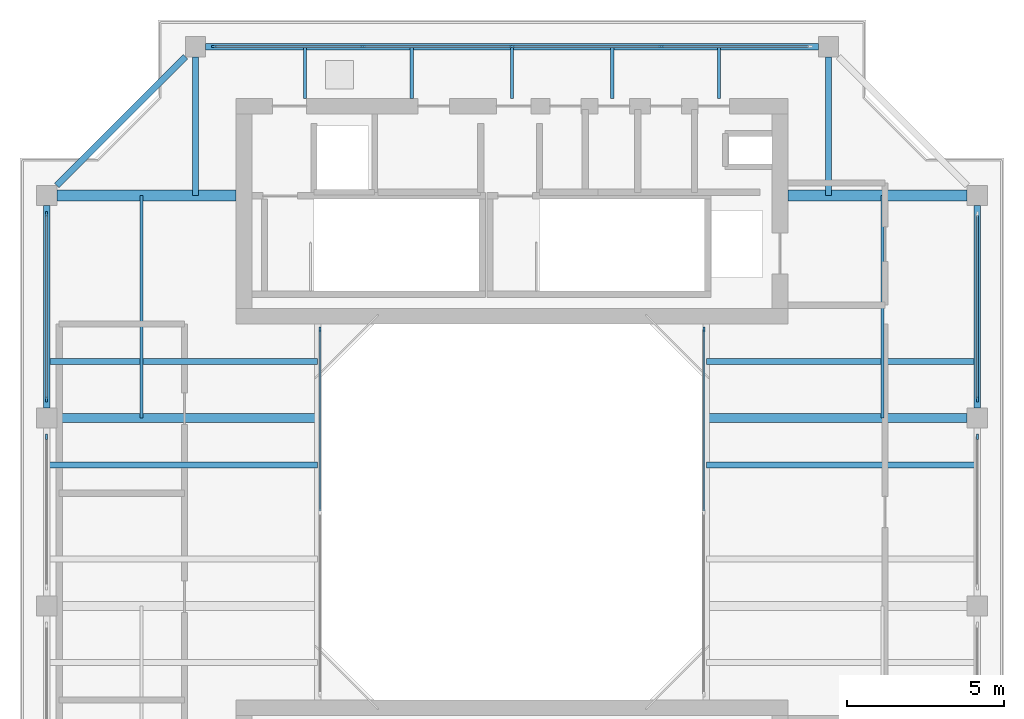
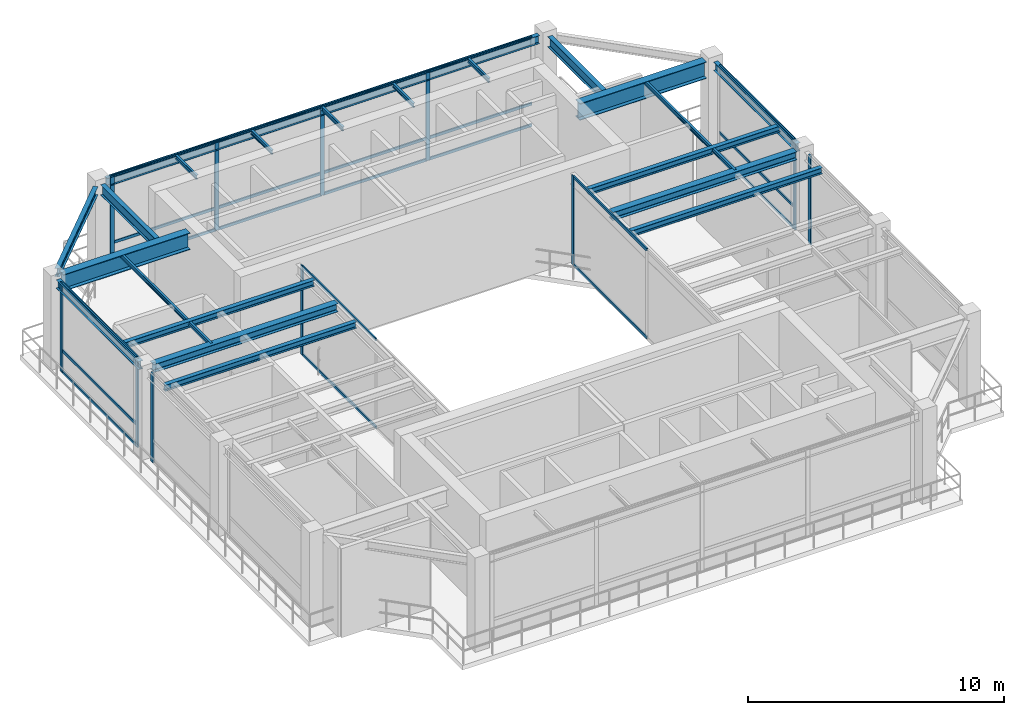
# One storey, part 4 of 9: 33 members, 21 beams, 7 elements without a shape of their own.
"""IFC4 building model written with IfcOpenShell, lengths in metres."""

from ifc_helpers import new_model, si_unit, direction, frame, origin, origin_2d, place, context, subcontext, project, spatial, rectangle, i_section, extrude, source, transform, mapped, material, layer, layer_set, material_profile, profile_set, type_object, element, aggregate, save


model = new_model("IFC4")

# Units and contexts
model_context = context("Model", 3, precision=1e-05, world=origin(), true_north=direction((0.0, 1.0)))
body_context = subcontext(model_context, "Body", "Model", "MODEL_VIEW")
ifc_project = project(units=[si_unit("LENGTHUNIT", "METRE"), si_unit("AREAUNIT", "SQUARE_METRE"), si_unit("VOLUMEUNIT", "CUBIC_METRE"), si_unit("PLANEANGLEUNIT", "RADIAN"), si_unit("MASSUNIT", "GRAM", prefix="KILO"), si_unit("THERMODYNAMICTEMPERATUREUNIT", "KELVIN"), si_unit("POWERUNIT", "WATT")], contexts=[model_context])

# Site, building, storey
site_placement = place(None, origin())
site = spatial("IfcSite", under=ifc_project, at=site_placement, CompositionType="ELEMENT")
building_placement = place(site_placement, origin())
building = spatial("IfcBuilding", under=site, at=building_placement, Name="Qiaomeng Ring Towers", CompositionType="ELEMENT")
storey_placement = place(building_placement, frame((0.0, 0.0, 263.25)))
storey = spatial("IfcBuildingStorey", under=building, at=storey_placement, Name="L77", CompositionType="ELEMENT", Elevation=263.25)

# Beams
ifc_material_1 = material(Name="Steel Q355B", Category="steel")
ifc_material_profile_1 = material_profile(ifc_material_1, i_section(OverallWidth=0.198974609375, OverallDepth=0.39599609375, WebThickness=0.007080078125, FlangeThickness=0.010986328125, FilletRadius=0.01611328125, at=origin_2d()), Name="HN 396x199x7x11")
ifc_profile_set_1 = profile_set([ifc_material_profile_1], Name="Steel Q355B")
beam_type_1 = type_object("IfcBeamType", Name="STR-BM-HN396", PredefinedType="SPANDREL", material=ifc_profile_set_1)
shared_shape_1 = source(origin(), body_context, "Body", "SweptSolid", [
    extrude(i_section(OverallWidth=0.198974609375, OverallDepth=0.39599609375, WebThickness=0.007080078125, FlangeThickness=0.010986328125, FilletRadius=0.01611328125, at=origin_2d()), origin(), (0.0, 0.0, 1.0), 19.5517578125),
])
beam_1_placement = place(storey_placement, frame((28.77587890625, 37.85009765625, 4.052001953125), z_axis=(-1.0, 0.0, 0.0), x_axis=(0.0, -1.0, 0.0)))
element("IfcBeam", 1, at=beam_1_placement, inside=storey, type_object=beam_type_1, Name="L77 beam STR-SP-L77-T1-N2-N1", PredefinedType="SPANDREL", context=body_context, shape_type="MappedRepresentation", body=[
    mapped(shared_shape_1, transform((0.0, 0.0, 0.0), x_axis=(1.0, 0.0, 0.0), y_axis=(0.0, 1.0, 0.0), z_axis=(0.0, 0.0, 1.0), scale=1.0)),
])
shared_shape_2 = source(origin(), body_context, "Body", "SweptSolid", [
    extrude(i_section(OverallWidth=0.198974609375, OverallDepth=0.39599609375, WebThickness=0.007080078125, FlangeThickness=0.010986328125, FilletRadius=0.01611328125, at=origin_2d()), origin(), (0.0, 0.0, 1.0), 5.800048828125),
])
beam_2_placement = place(storey_placement, frame((8.57568359375, 37.525634765625, 4.052001953125), z_axis=(-0.707106781187, -0.707106781187, 0.0), x_axis=(0.707106781187, -0.707106781187, 0.0)))
element("IfcBeam", 2, at=beam_2_placement, inside=storey, type_object=beam_type_1, Name="L77 beam STR-SP-L77-T1-N1-W4", PredefinedType="SPANDREL", context=body_context, shape_type="MappedRepresentation", body=[
    mapped(shared_shape_2, transform((0.0, 0.0, 0.0), x_axis=(1.0, 0.0, 0.0), y_axis=(0.0, 1.0, 0.0), z_axis=(0.0, 0.0, 1.0), scale=1.0)),
])
shared_shape_3 = source(origin(), body_context, "Body", "SweptSolid", [
    extrude(i_section(OverallWidth=0.198974609375, OverallDepth=0.39599609375, WebThickness=0.007080078125, FlangeThickness=0.010986328125, FilletRadius=0.01611328125, at=origin_2d()), origin(), (0.0, 0.0, 1.0), 6.451904296875),
])
for number, where, z_axis, x_axis, name in (
    (3, (33.85009765625, 26.323974609375, 4.052001953125), (0.0, 1.0, 0.0), (-1.0, 0.0, 0.0), "L77 beam STR-SP-L77-T1-E3-E4"),
    (4, (4.14990234375, 32.77587890625, 4.052001953125), (0.0, -1.0, 0.0), (1.0, 0.0, 0.0), "L77 beam STR-SP-L77-T1-W4-W3"),
):
    element("IfcBeam", number, at=place(storey_placement, frame(where, z_axis=z_axis, x_axis=x_axis)), inside=storey, type_object=beam_type_1, Name=name, PredefinedType="SPANDREL", context=body_context, shape_type="MappedRepresentation", body=[
        mapped(shared_shape_3, transform((0.0, 0.0, 0.0), x_axis=(1.0, 0.0, 0.0), y_axis=(0.0, 1.0, 0.0), z_axis=(0.0, 0.0, 1.0), scale=1.0)),
    ])
ifc_material_2 = material(Name="Steel Q390GJC", Category="steel")
ifc_material_profile_2 = material_profile(ifc_material_2, i_section(OverallWidth=0.35009765625, OverallDepth=0.800048828125, WebThickness=0.01611328125, FlangeThickness=0.028076171875, at=origin_2d()), Name="WH 800x350x16x28")
ifc_profile_set_2 = profile_set([ifc_material_profile_2], Name="Steel Q390GJC")
beam_type_2 = type_object("IfcBeamType", Name="STR-BM-WH800", PredefinedType="BEAM", material=ifc_profile_set_2)
shared_shape_4 = source(origin(), body_context, "Body", "SweptSolid", [
    extrude(i_section(OverallWidth=0.35009765625, OverallDepth=0.800048828125, WebThickness=0.01611328125, FlangeThickness=0.028076171875, at=origin_2d()), origin(), (0.0, 0.0, 1.0), 5.725830078125),
])
for number, where, z_axis, x_axis, name in (
    (5, (4.47412109375, 33.10009765625, 3.85009765625), (1.0, 0.0, 0.0), (0.0, 1.0, 0.0), "L77 beam STR-BM-L77-T1-RAD-W4"),
    (6, (27.800048828125, 33.10009765625, 3.85009765625), (1.0, 0.0, 0.0), (0.0, 1.0, 0.0), "L77 beam STR-BM-L77-T1-RAD-E4"),
):
    element("IfcBeam", number, at=place(storey_placement, frame(where, z_axis=z_axis, x_axis=x_axis)), inside=storey, type_object=beam_type_2, Name=name, PredefinedType="BEAM", context=body_context, shape_type="MappedRepresentation", body=[
        mapped(shared_shape_4, transform((0.0, 0.0, 0.0), x_axis=(1.0, 0.0, 0.0), y_axis=(0.0, 1.0, 0.0), z_axis=(0.0, 0.0, 1.0), scale=1.0)),
    ])
ifc_material_profile_3 = material_profile(ifc_material_1, i_section(OverallWidth=0.198974609375, OverallDepth=0.49609375, WebThickness=0.009033203125, FlangeThickness=0.013916015625, FilletRadius=0.01806640625, at=origin_2d()), Name="HN 496x199x9x14")
ifc_profile_set_3 = profile_set([ifc_material_profile_3], Name="Steel Q355B")
beam_type_3 = type_object("IfcBeamType", Name="STR-BM-HN496", PredefinedType="BEAM", material=ifc_profile_set_3)
shared_shape_5 = source(origin(), body_context, "Body", "SweptSolid", [
    extrude(i_section(OverallWidth=0.198974609375, OverallDepth=0.49609375, WebThickness=0.009033203125, FlangeThickness=0.013916015625, FilletRadius=0.01806640625, at=origin_2d()), origin(), (0.0, 0.0, 1.0), 4.42578125),
])
for number, where, z_axis, x_axis, name in (
    (7, (8.89990234375, 37.52587890625, 4.001953125), (0.0, -1.0, 0.0), (1.0, 0.0, 0.0), "L77 beam STR-BM-L77-T1-RAD-N1"),
    (8, (29.10009765625, 37.52587890625, 4.001953125), (0.0, -1.0, 0.0), (1.0, 0.0, 0.0), "L77 beam STR-BM-L77-T1-RAD-N2"),
):
    element("IfcBeam", number, at=place(storey_placement, frame(where, z_axis=z_axis, x_axis=x_axis)), inside=storey, type_object=beam_type_3, Name=name, PredefinedType="BEAM", context=body_context, shape_type="MappedRepresentation", body=[
        mapped(shared_shape_5, transform((0.0, 0.0, 0.0), x_axis=(1.0, 0.0, 0.0), y_axis=(0.0, 1.0, 0.0), z_axis=(0.0, 0.0, 1.0), scale=1.0)),
    ])
ifc_material_profile_4 = material_profile(ifc_material_1, i_section(OverallWidth=0.300048828125, OverallDepth=0.389892578125, WebThickness=0.010009765625, FlangeThickness=0.01611328125, FilletRadius=0.02197265625, at=origin_2d()), Name="HM 390x300x10x16")
ifc_profile_set_4 = profile_set([ifc_material_profile_4], Name="Steel Q355B")
beam_type_4 = type_object("IfcBeamType", Name="STR-BM-HM390", PredefinedType="BEAM", material=ifc_profile_set_4)
shared_shape_6 = source(origin(), body_context, "Body", "SweptSolid", [
    extrude(i_section(OverallWidth=0.300048828125, OverallDepth=0.389892578125, WebThickness=0.010009765625, FlangeThickness=0.01611328125, FilletRadius=0.02197265625, at=origin_2d()), origin(), (0.0, 0.0, 1.0), 8.325927734375),
])
for number, where, z_axis, x_axis, name in (
    (9, (4.47412109375, 26.0, 4.054931640625), (1.0, 0.0, 0.0), (0.0, 1.0, 0.0), "L77 beam STR-BM-L77-T1-RAD-W3"),
    (10, (25.199951171875, 26.0, 4.054931640625), (1.0, 0.0, 0.0), (0.0, 1.0, 0.0), "L77 beam STR-BM-L77-T1-RAD-E3"),
):
    element("IfcBeam", number, at=place(storey_placement, frame(where, z_axis=z_axis, x_axis=x_axis)), inside=storey, type_object=beam_type_4, Name=name, PredefinedType="BEAM", context=body_context, shape_type="MappedRepresentation", body=[
        mapped(shared_shape_6, transform((0.0, 0.0, 0.0), x_axis=(1.0, 0.0, 0.0), y_axis=(0.0, 1.0, 0.0), z_axis=(0.0, 0.0, 1.0), scale=1.0)),
    ])
ifc_material_profile_5 = material_profile(ifc_material_1, i_section(OverallWidth=0.10009765625, OverallDepth=0.199951171875, WebThickness=0.005615234375, FlangeThickness=0.008056640625, FilletRadius=0.010986328125, at=origin_2d()), Name="HN 200x100x5.5x8")
ifc_profile_set_5 = profile_set([ifc_material_profile_5], Name="Steel Q355B")
beam_type_5 = type_object("IfcBeamType", Name="STR-BM-HN200", PredefinedType="JOIST", material=ifc_profile_set_5)
shared_shape_7 = source(origin(), body_context, "Body", "SweptSolid", [
    extrude(i_section(OverallWidth=0.10009765625, OverallDepth=0.199951171875, WebThickness=0.005615234375, FlangeThickness=0.008056640625, FilletRadius=0.010986328125, at=origin_2d()), origin(), (0.0, 0.0, 1.0), 1.650146484375),
])
for number, where, z_axis, x_axis, name in (
    (11, (12.39990234375, 36.199951171875, 4.14990234375), (0.0, 1.0, 0.0), (-1.0, 0.0, 0.0), "L77 beam STR-JST-L77-T1N-1"),
    (12, (15.800048828125, 36.199951171875, 4.14990234375), (0.0, 1.0, 0.0), (-1.0, 0.0, 0.0), "L77 beam STR-JST-L77-T1N-2"),
    (13, (19.0, 36.199951171875, 4.14990234375), (0.0, 1.0, 0.0), (-1.0, 0.0, 0.0), "L77 beam STR-JST-L77-T1N-3"),
    (14, (22.199951171875, 36.199951171875, 4.14990234375), (0.0, 1.0, 0.0), (-1.0, 0.0, 0.0), "L77 beam STR-JST-L77-T1N-4"),
    (15, (25.60009765625, 36.199951171875, 4.14990234375), (0.0, 1.0, 0.0), (-1.0, 0.0, 0.0), "L77 beam STR-JST-L77-T1N-5"),
):
    element("IfcBeam", number, at=place(storey_placement, frame(where, z_axis=z_axis, x_axis=x_axis)), inside=storey, type_object=beam_type_5, Name=name, PredefinedType="JOIST", context=body_context, shape_type="MappedRepresentation", body=[
        mapped(shared_shape_7, transform((0.0, 0.0, 0.0), x_axis=(1.0, 0.0, 0.0), y_axis=(0.0, 1.0, 0.0), z_axis=(0.0, 0.0, 1.0), scale=1.0)),
    ])
ifc_material_profile_6 = material_profile(ifc_material_1, i_section(OverallWidth=0.199951171875, OverallDepth=0.2939453125, WebThickness=0.008056640625, FlangeThickness=0.011962890625, FilletRadius=0.01806640625, at=origin_2d()), Name="HM 294x200x8x12")
ifc_profile_set_6 = profile_set([ifc_material_profile_6], Name="Steel Q355B")
beam_type_6 = type_object("IfcBeamType", Name="STR-BM-HM294", PredefinedType="JOIST", material=ifc_profile_set_6)
shared_shape_8 = source(origin(), body_context, "Body", "SweptSolid", [
    extrude(i_section(OverallWidth=0.199951171875, OverallDepth=0.2939453125, WebThickness=0.008056640625, FlangeThickness=0.011962890625, FilletRadius=0.01806640625, at=origin_2d()), origin(), (0.0, 0.0, 1.0), 8.650146484375),
])
for number, where, z_axis, x_axis, name in (
    (16, (4.14990234375, 24.5, 4.10302734375), (1.0, 0.0, 0.0), (0.0, 1.0, 0.0), "L77 beam STR-JST-L77-T1W-3"),
    (17, (25.199951171875, 24.5, 4.10302734375), (1.0, 0.0, 0.0), (0.0, 1.0, 0.0), "L77 beam STR-JST-L77-T1E-3"),
    (18, (4.14990234375, 27.800048828125, 4.10302734375), (1.0, 0.0, 0.0), (0.0, 1.0, 0.0), "L77 beam STR-JST-L77-T1W-4"),
    (19, (25.199951171875, 27.800048828125, 4.10302734375), (1.0, 0.0, 0.0), (0.0, 1.0, 0.0), "L77 beam STR-JST-L77-T1E-4"),
):
    element("IfcBeam", number, at=place(storey_placement, frame(where, z_axis=z_axis, x_axis=x_axis)), inside=storey, type_object=beam_type_6, Name=name, PredefinedType="JOIST", context=body_context, shape_type="MappedRepresentation", body=[
        mapped(shared_shape_8, transform((0.0, 0.0, 0.0), x_axis=(1.0, 0.0, 0.0), y_axis=(0.0, 1.0, 0.0), z_axis=(0.0, 0.0, 1.0), scale=1.0)),
    ])
shared_shape_9 = source(origin(), body_context, "Body", "SweptSolid", [
    extrude(i_section(OverallWidth=0.10009765625, OverallDepth=0.199951171875, WebThickness=0.005615234375, FlangeThickness=0.008056640625, FilletRadius=0.010986328125, at=origin_2d()), origin(), (0.0, 0.0, 1.0), 7.10009765625),
])
for number, where, z_axis, x_axis, name in (
    (20, (7.175048828125, 26.0, 4.14990234375), (0.0, 1.0, 0.0), (-1.0, 0.0, 0.0), "L77 beam STR-JST-L77-T1C-WN"),
    (21, (30.824951171875, 26.0, 4.14990234375), (0.0, 1.0, 0.0), (-1.0, 0.0, 0.0), "L77 beam STR-JST-L77-T1C-EN"),
):
    element("IfcBeam", number, at=place(storey_placement, frame(where, z_axis=z_axis, x_axis=x_axis)), inside=storey, type_object=beam_type_5, Name=name, PredefinedType="JOIST", context=body_context, shape_type="MappedRepresentation", body=[
        mapped(shared_shape_9, transform((0.0, 0.0, 0.0), x_axis=(1.0, 0.0, 0.0), y_axis=(0.0, 1.0, 0.0), z_axis=(0.0, 0.0, 1.0), scale=1.0)),
    ])

# Curtain wall, members
ifc_material_3 = material(Name="Fluorocarbon dark-grey aluminium", Category="aluminium")
ifc_layer_1 = layer(ifc_material_3, 0.139892578125, Name="Fluorocarbon dark-grey aluminium")
ifc_layer_set_1 = layer_set([ifc_layer_1], Name="Fluorocarbon dark-grey aluminium")
curtain_wall_type_1 = type_object("IfcCurtainWallType", Name="ARC-CW-4", PredefinedType="NOTDEFINED", material=ifc_layer_set_1)
curtain_wall_1_placement = place(storey_placement, origin())
curtain_wall_1 = element("IfcCurtainWall", 22, at=curtain_wall_1_placement, inside=storey, type_object=curtain_wall_type_1, Name="L77 Curtain Wall CW4", PredefinedType="NOTDEFINED")
ifc_material_profile_7 = material_profile(ifc_material_3, rectangle(XDim=0.06494140625, YDim=0.1298828125, at=origin_2d()), Name="ALU TRAN 65x130")
ifc_profile_set_7 = profile_set([ifc_material_profile_7], Name="Fluorocarbon dark-grey aluminium")
member_type_1 = type_object("IfcMemberType", Name="ARC-CWT-120", PredefinedType="USERDEFINED", material=ifc_profile_set_7)
shared_shape_10 = source(origin(), body_context, "Body", "SweptSolid", [
    extrude(rectangle(XDim=0.06494140625, YDim=0.1298828125, at=origin_2d()), origin(), (0.0, 0.0, 1.0), 5.75244140625),
])
member_1_placement = place(storey_placement, frame((12.8798828125, 23.032470703125, 0.032470703125), z_axis=(0.0, 1.0, 0.0), x_axis=(-1.0, 0.0, 0.0)))
member_1 = element("IfcMember", 23, at=member_1_placement, type_object=member_type_1, Name="CW4 transom 2.1", ObjectType="TRANSOM", PredefinedType="USERDEFINED", context=body_context, shape_type="MappedRepresentation", body=[
    mapped(shared_shape_10, transform((0.0, 0.0, 0.0), x_axis=(1.0, 0.0, 0.0), y_axis=(0.0, 1.0, 0.0), z_axis=(0.0, 0.0, 1.0), scale=1.0)),
])
member_2_placement = place(storey_placement, frame((12.8798828125, 23.032470703125, 4.217529296875), z_axis=(0.0, 1.0, 0.0), x_axis=(-1.0, 0.0, 0.0)))
member_2 = element("IfcMember", 24, at=member_2_placement, type_object=member_type_1, Name="CW4 transom 2.2", ObjectType="TRANSOM", PredefinedType="USERDEFINED", context=body_context, shape_type="MappedRepresentation", body=[
    mapped(shared_shape_10, transform((0.0, 0.0, 0.0), x_axis=(1.0, 0.0, 0.0), y_axis=(0.0, 1.0, 0.0), z_axis=(0.0, 0.0, 1.0), scale=1.0)),
])

curtain_wall_2_placement = place(storey_placement, origin())
curtain_wall_2 = element("IfcCurtainWall", 25, at=curtain_wall_2_placement, inside=storey, type_object=curtain_wall_type_1, Name="L77 Curtain Wall CW4", PredefinedType="NOTDEFINED")
member_3_placement = place(storey_placement, frame((25.1201171875, 23.032470703125, 0.032470703125), z_axis=(0.0, 1.0, 0.0), x_axis=(-1.0, 0.0, 0.0)))
member_3 = element("IfcMember", 26, at=member_3_placement, type_object=member_type_1, Name="CW4 transom 2.1", ObjectType="TRANSOM", PredefinedType="USERDEFINED", context=body_context, shape_type="MappedRepresentation", body=[
    mapped(shared_shape_10, transform((0.0, 0.0, 0.0), x_axis=(1.0, 0.0, 0.0), y_axis=(0.0, 1.0, 0.0), z_axis=(0.0, 0.0, 1.0), scale=1.0)),
])
member_4_placement = place(storey_placement, frame((25.1201171875, 23.032470703125, 4.217529296875), z_axis=(0.0, 1.0, 0.0), x_axis=(-1.0, 0.0, 0.0)))
member_4 = element("IfcMember", 27, at=member_4_placement, type_object=member_type_1, Name="CW4 transom 2.2", ObjectType="TRANSOM", PredefinedType="USERDEFINED", context=body_context, shape_type="MappedRepresentation", body=[
    mapped(shared_shape_10, transform((0.0, 0.0, 0.0), x_axis=(1.0, 0.0, 0.0), y_axis=(0.0, 1.0, 0.0), z_axis=(0.0, 0.0, 1.0), scale=1.0)),
])

# Member
ifc_material_profile_8 = material_profile(ifc_material_3, rectangle(XDim=0.06494140625, YDim=0.159912109375, at=origin_2d()), Name="ALU MULL 65x160")
ifc_profile_set_8 = profile_set([ifc_material_profile_8], Name="Fluorocarbon dark-grey aluminium")
member_type_2 = type_object("IfcMemberType", Name="ARC-CWM-140", PredefinedType="MULLION", material=ifc_profile_set_8)
shared_shape_11 = source(origin(), body_context, "Body", "SweptSolid", [
    extrude(rectangle(XDim=0.06494140625, YDim=0.159912109375, at=origin_2d()), origin(), (0.0, 0.0, 1.0), 4.25),
])
member_5_placement = place(storey_placement, frame((12.8798828125, 28.8173828125, 0.0), z_axis=(0.0, 0.0, 1.0), x_axis=(-1.0, 0.0, 0.0)))
member_5 = element("IfcMember", 28, at=member_5_placement, type_object=member_type_2, Name="CW4 mullion 3", PredefinedType="MULLION", context=body_context, shape_type="MappedRepresentation", body=[
    mapped(shared_shape_11, transform((0.0, 0.0, 0.0), x_axis=(1.0, 0.0, 0.0), y_axis=(0.0, 1.0, 0.0), z_axis=(0.0, 0.0, 1.0), scale=1.0)),
])

aggregate(curtain_wall_1, [member_5, member_1, member_2])

member_6_placement = place(storey_placement, frame((25.1201171875, 28.8173828125, 0.0), z_axis=(0.0, 0.0, 1.0), x_axis=(-1.0, 0.0, 0.0)))
member_6 = element("IfcMember", 29, at=member_6_placement, type_object=member_type_2, Name="CW4 mullion 3", PredefinedType="MULLION", context=body_context, shape_type="MappedRepresentation", body=[
    mapped(shared_shape_11, transform((0.0, 0.0, 0.0), x_axis=(1.0, 0.0, 0.0), y_axis=(0.0, 1.0, 0.0), z_axis=(0.0, 0.0, 1.0), scale=1.0)),
])

aggregate(curtain_wall_2, [member_6, member_3, member_4])

# Curtain wall, members
ifc_layer_2 = layer(ifc_material_3, 0.169921875, Name="Fluorocarbon dark-grey aluminium")
ifc_layer_set_2 = layer_set([ifc_layer_2], Name="Fluorocarbon dark-grey aluminium")
curtain_wall_type_2 = type_object("IfcCurtainWallType", Name="ARC-CW-6", PredefinedType="NOTDEFINED", material=ifc_layer_set_2)
curtain_wall_3_placement = place(storey_placement, origin())
curtain_wall_3 = element("IfcCurtainWall", 30, at=curtain_wall_3_placement, inside=storey, type_object=curtain_wall_type_2, Name="L77 Curtain Wall CW6", PredefinedType="NOTDEFINED")
ifc_material_profile_9 = material_profile(ifc_material_3, rectangle(XDim=0.070068359375, YDim=0.179931640625, at=origin_2d()), Name="ALU MULL 70x180")
ifc_profile_set_9 = profile_set([ifc_material_profile_9], Name="Fluorocarbon dark-grey aluminium")
member_type_3 = type_object("IfcMemberType", Name="ARC-CWM-160", PredefinedType="MULLION", material=ifc_profile_set_9)
shared_shape_12 = source(origin(), body_context, "Body", "SweptSolid", [
    extrude(rectangle(XDim=0.070068359375, YDim=0.179931640625, at=origin_2d()), origin(), (0.0, 0.0, 1.0), 4.25),
])
member_7_placement = place(storey_placement, frame((23.767578125, 37.85009765625, 0.0), z_axis=(0.0, 0.0, 1.0), x_axis=(0.0, -1.0, 0.0)))
member_7 = element("IfcMember", 31, at=member_7_placement, type_object=member_type_3, Name="CW6 mullion 2", PredefinedType="MULLION", context=body_context, shape_type="MappedRepresentation", body=[
    mapped(shared_shape_12, transform((0.0, 0.0, 0.0), x_axis=(1.0, 0.0, 0.0), y_axis=(0.0, 1.0, 0.0), z_axis=(0.0, 0.0, 1.0), scale=1.0)),
])
member_8_placement = place(storey_placement, frame((19.0, 37.85009765625, 0.0), z_axis=(0.0, 0.0, 1.0), x_axis=(0.0, -1.0, 0.0)))
member_8 = element("IfcMember", 32, at=member_8_placement, type_object=member_type_3, Name="CW6 mullion 3", PredefinedType="MULLION", context=body_context, shape_type="MappedRepresentation", body=[
    mapped(shared_shape_12, transform((0.0, 0.0, 0.0), x_axis=(1.0, 0.0, 0.0), y_axis=(0.0, 1.0, 0.0), z_axis=(0.0, 0.0, 1.0), scale=1.0)),
])
member_9_placement = place(storey_placement, frame((14.232421875, 37.85009765625, 0.0), z_axis=(0.0, 0.0, 1.0), x_axis=(0.0, -1.0, 0.0)))
member_9 = element("IfcMember", 33, at=member_9_placement, type_object=member_type_3, Name="CW6 mullion 4", PredefinedType="MULLION", context=body_context, shape_type="MappedRepresentation", body=[
    mapped(shared_shape_12, transform((0.0, 0.0, 0.0), x_axis=(1.0, 0.0, 0.0), y_axis=(0.0, 1.0, 0.0), z_axis=(0.0, 0.0, 1.0), scale=1.0)),
])
member_10_placement = place(storey_placement, frame((9.5, 37.85009765625, 0.0), z_axis=(0.0, 0.0, 1.0), x_axis=(0.0, -1.0, 0.0)))
member_10 = element("IfcMember", 34, at=member_10_placement, type_object=member_type_3, Name="CW6 mullion 5", PredefinedType="MULLION", context=body_context, shape_type="MappedRepresentation", body=[
    mapped(shared_shape_12, transform((0.0, 0.0, 0.0), x_axis=(1.0, 0.0, 0.0), y_axis=(0.0, 1.0, 0.0), z_axis=(0.0, 0.0, 1.0), scale=1.0)),
])

curtain_wall_4_placement = place(storey_placement, origin())
curtain_wall_4 = element("IfcCurtainWall", 35, at=curtain_wall_4_placement, inside=storey, type_object=curtain_wall_type_2, Name="L77 Curtain Wall CW6", PredefinedType="NOTDEFINED")
member_11_placement = place(storey_placement, frame((4.14990234375, 32.5, 0.0), z_axis=(0.0, 0.0, 1.0), x_axis=(1.0, 0.0, 0.0)))
member_11 = element("IfcMember", 36, at=member_11_placement, type_object=member_type_3, Name="CW6 mullion 1", PredefinedType="MULLION", context=body_context, shape_type="MappedRepresentation", body=[
    mapped(shared_shape_12, transform((0.0, 0.0, 0.0), x_axis=(1.0, 0.0, 0.0), y_axis=(0.0, 1.0, 0.0), z_axis=(0.0, 0.0, 1.0), scale=1.0)),
])
member_12_placement = place(storey_placement, frame((4.14990234375, 26.60009765625, 0.0), z_axis=(0.0, 0.0, 1.0), x_axis=(1.0, 0.0, 0.0)))
member_12 = element("IfcMember", 37, at=member_12_placement, type_object=member_type_3, Name="CW6 mullion 2", PredefinedType="MULLION", context=body_context, shape_type="MappedRepresentation", body=[
    mapped(shared_shape_12, transform((0.0, 0.0, 0.0), x_axis=(1.0, 0.0, 0.0), y_axis=(0.0, 1.0, 0.0), z_axis=(0.0, 0.0, 1.0), scale=1.0)),
])

# Curtain wall, member
curtain_wall_5_placement = place(storey_placement, origin())
curtain_wall_5 = element("IfcCurtainWall", 38, at=curtain_wall_5_placement, inside=storey, type_object=curtain_wall_type_2, Name="L77 Curtain Wall CW6", PredefinedType="NOTDEFINED")
member_13_placement = place(storey_placement, frame((4.14990234375, 25.39990234375, 0.0), z_axis=(0.0, 0.0, 1.0), x_axis=(1.0, 0.0, 0.0)))
member_13 = element("IfcMember", 39, at=member_13_placement, type_object=member_type_3, Name="CW6 mullion 1", PredefinedType="MULLION", context=body_context, shape_type="MappedRepresentation", body=[
    mapped(shared_shape_12, transform((0.0, 0.0, 0.0), x_axis=(1.0, 0.0, 0.0), y_axis=(0.0, 1.0, 0.0), z_axis=(0.0, 0.0, 1.0), scale=1.0)),
])
aggregate(curtain_wall_5, [member_13])

curtain_wall_6_placement = place(storey_placement, origin())
curtain_wall_6 = element("IfcCurtainWall", 40, at=curtain_wall_6_placement, inside=storey, type_object=curtain_wall_type_2, Name="L77 Curtain Wall CW6", PredefinedType="NOTDEFINED")
member_14_placement = place(storey_placement, frame((33.85009765625, 25.39990234375, 0.0), z_axis=(0.0, 0.0, 1.0), x_axis=(-1.0, 0.0, 0.0)))
member_14 = element("IfcMember", 41, at=member_14_placement, type_object=member_type_3, Name="CW6 mullion 2", PredefinedType="MULLION", context=body_context, shape_type="MappedRepresentation", body=[
    mapped(shared_shape_12, transform((0.0, 0.0, 0.0), x_axis=(1.0, 0.0, 0.0), y_axis=(0.0, 1.0, 0.0), z_axis=(0.0, 0.0, 1.0), scale=1.0)),
])
aggregate(curtain_wall_6, [member_14])

curtain_wall_7_placement = place(storey_placement, origin())
curtain_wall_7 = element("IfcCurtainWall", 42, at=curtain_wall_7_placement, inside=storey, type_object=curtain_wall_type_2, Name="L77 Curtain Wall CW6", PredefinedType="NOTDEFINED")
member_15_placement = place(storey_placement, frame((33.85009765625, 26.60009765625, 0.0), z_axis=(0.0, 0.0, 1.0), x_axis=(-1.0, 0.0, 0.0)))
member_15 = element("IfcMember", 43, at=member_15_placement, type_object=member_type_3, Name="CW6 mullion 1", PredefinedType="MULLION", context=body_context, shape_type="MappedRepresentation", body=[
    mapped(shared_shape_12, transform((0.0, 0.0, 0.0), x_axis=(1.0, 0.0, 0.0), y_axis=(0.0, 1.0, 0.0), z_axis=(0.0, 0.0, 1.0), scale=1.0)),
])

# Member
shared_shape_13 = source(origin(), body_context, "Body", "SweptSolid", [
    extrude(rectangle(XDim=0.06494140625, YDim=0.1298828125, at=origin_2d()), origin(), (0.0, 0.0, 1.0), 4.66259765625),
])
member_16_placement = place(storey_placement, frame((28.465087890625, 37.85009765625, 0.032470703125), z_axis=(-1.0, 0.0, 0.0), x_axis=(0.0, -1.0, 0.0)))
member_16 = element("IfcMember", 44, at=member_16_placement, type_object=member_type_1, Name="CW6 transom 1.1", ObjectType="TRANSOM", PredefinedType="USERDEFINED", context=body_context, shape_type="MappedRepresentation", body=[
    mapped(shared_shape_13, transform((0.0, 0.0, 0.0), x_axis=(1.0, 0.0, 0.0), y_axis=(0.0, 1.0, 0.0), z_axis=(0.0, 0.0, 1.0), scale=1.0)),
])

member_17_placement = place(storey_placement, frame((28.465087890625, 37.85009765625, 1.050048828125), z_axis=(-1.0, 0.0, 0.0), x_axis=(0.0, -1.0, 0.0)))
member_17 = element("IfcMember", 45, at=member_17_placement, type_object=member_type_1, Name="CW6 transom 1.2", ObjectType="TRANSOM", PredefinedType="USERDEFINED", context=body_context, shape_type="MappedRepresentation", body=[
    mapped(shared_shape_13, transform((0.0, 0.0, 0.0), x_axis=(1.0, 0.0, 0.0), y_axis=(0.0, 1.0, 0.0), z_axis=(0.0, 0.0, 1.0), scale=1.0)),
])

member_18_placement = place(storey_placement, frame((28.465087890625, 37.85009765625, 4.217529296875), z_axis=(-1.0, 0.0, 0.0), x_axis=(0.0, -1.0, 0.0)))
member_18 = element("IfcMember", 46, at=member_18_placement, type_object=member_type_1, Name="CW6 transom 1.3", ObjectType="TRANSOM", PredefinedType="USERDEFINED", context=body_context, shape_type="MappedRepresentation", body=[
    mapped(shared_shape_13, transform((0.0, 0.0, 0.0), x_axis=(1.0, 0.0, 0.0), y_axis=(0.0, 1.0, 0.0), z_axis=(0.0, 0.0, 1.0), scale=1.0)),
])

member_19_placement = place(storey_placement, frame((14.197509765625, 37.85009765625, 0.032470703125), z_axis=(-1.0, 0.0, 0.0), x_axis=(0.0, -1.0, 0.0)))
member_19 = element("IfcMember", 47, at=member_19_placement, type_object=member_type_1, Name="CW6 transom 4.1", ObjectType="TRANSOM", PredefinedType="USERDEFINED", context=body_context, shape_type="MappedRepresentation", body=[
    mapped(shared_shape_13, transform((0.0, 0.0, 0.0), x_axis=(1.0, 0.0, 0.0), y_axis=(0.0, 1.0, 0.0), z_axis=(0.0, 0.0, 1.0), scale=1.0)),
])

member_20_placement = place(storey_placement, frame((14.197509765625, 37.85009765625, 1.050048828125), z_axis=(-1.0, 0.0, 0.0), x_axis=(0.0, -1.0, 0.0)))
member_20 = element("IfcMember", 48, at=member_20_placement, type_object=member_type_1, Name="CW6 transom 4.2", ObjectType="TRANSOM", PredefinedType="USERDEFINED", context=body_context, shape_type="MappedRepresentation", body=[
    mapped(shared_shape_13, transform((0.0, 0.0, 0.0), x_axis=(1.0, 0.0, 0.0), y_axis=(0.0, 1.0, 0.0), z_axis=(0.0, 0.0, 1.0), scale=1.0)),
])

member_21_placement = place(storey_placement, frame((14.197509765625, 37.85009765625, 4.217529296875), z_axis=(-1.0, 0.0, 0.0), x_axis=(0.0, -1.0, 0.0)))
member_21 = element("IfcMember", 49, at=member_21_placement, type_object=member_type_1, Name="CW6 transom 4.3", ObjectType="TRANSOM", PredefinedType="USERDEFINED", context=body_context, shape_type="MappedRepresentation", body=[
    mapped(shared_shape_13, transform((0.0, 0.0, 0.0), x_axis=(1.0, 0.0, 0.0), y_axis=(0.0, 1.0, 0.0), z_axis=(0.0, 0.0, 1.0), scale=1.0)),
])

shared_shape_14 = source(origin(), body_context, "Body", "SweptSolid", [
    extrude(rectangle(XDim=0.06494140625, YDim=0.1298828125, at=origin_2d()), origin(), (0.0, 0.0, 1.0), 4.697509765625),
])
member_22_placement = place(storey_placement, frame((23.732421875, 37.85009765625, 0.032470703125), z_axis=(-1.0, 0.0, 0.0), x_axis=(0.0, -1.0, 0.0)))
member_22 = element("IfcMember", 50, at=member_22_placement, type_object=member_type_1, Name="CW6 transom 2.1", ObjectType="TRANSOM", PredefinedType="USERDEFINED", context=body_context, shape_type="MappedRepresentation", body=[
    mapped(shared_shape_14, transform((0.0, 0.0, 0.0), x_axis=(1.0, 0.0, 0.0), y_axis=(0.0, 1.0, 0.0), z_axis=(0.0, 0.0, 1.0), scale=1.0)),
])

member_23_placement = place(storey_placement, frame((23.732421875, 37.85009765625, 1.050048828125), z_axis=(-1.0, 0.0, 0.0), x_axis=(0.0, -1.0, 0.0)))
member_23 = element("IfcMember", 51, at=member_23_placement, type_object=member_type_1, Name="CW6 transom 2.2", ObjectType="TRANSOM", PredefinedType="USERDEFINED", context=body_context, shape_type="MappedRepresentation", body=[
    mapped(shared_shape_14, transform((0.0, 0.0, 0.0), x_axis=(1.0, 0.0, 0.0), y_axis=(0.0, 1.0, 0.0), z_axis=(0.0, 0.0, 1.0), scale=1.0)),
])

member_24_placement = place(storey_placement, frame((23.732421875, 37.85009765625, 4.217529296875), z_axis=(-1.0, 0.0, 0.0), x_axis=(0.0, -1.0, 0.0)))
member_24 = element("IfcMember", 52, at=member_24_placement, type_object=member_type_1, Name="CW6 transom 2.3", ObjectType="TRANSOM", PredefinedType="USERDEFINED", context=body_context, shape_type="MappedRepresentation", body=[
    mapped(shared_shape_14, transform((0.0, 0.0, 0.0), x_axis=(1.0, 0.0, 0.0), y_axis=(0.0, 1.0, 0.0), z_axis=(0.0, 0.0, 1.0), scale=1.0)),
])

member_25_placement = place(storey_placement, frame((18.965087890625, 37.85009765625, 0.032470703125), z_axis=(-1.0, 0.0, 0.0), x_axis=(0.0, -1.0, 0.0)))
member_25 = element("IfcMember", 53, at=member_25_placement, type_object=member_type_1, Name="CW6 transom 3.1", ObjectType="TRANSOM", PredefinedType="USERDEFINED", context=body_context, shape_type="MappedRepresentation", body=[
    mapped(shared_shape_14, transform((0.0, 0.0, 0.0), x_axis=(1.0, 0.0, 0.0), y_axis=(0.0, 1.0, 0.0), z_axis=(0.0, 0.0, 1.0), scale=1.0)),
])

member_26_placement = place(storey_placement, frame((18.965087890625, 37.85009765625, 1.050048828125), z_axis=(-1.0, 0.0, 0.0), x_axis=(0.0, -1.0, 0.0)))
member_26 = element("IfcMember", 54, at=member_26_placement, type_object=member_type_1, Name="CW6 transom 3.2", ObjectType="TRANSOM", PredefinedType="USERDEFINED", context=body_context, shape_type="MappedRepresentation", body=[
    mapped(shared_shape_14, transform((0.0, 0.0, 0.0), x_axis=(1.0, 0.0, 0.0), y_axis=(0.0, 1.0, 0.0), z_axis=(0.0, 0.0, 1.0), scale=1.0)),
])

member_27_placement = place(storey_placement, frame((18.965087890625, 37.85009765625, 4.217529296875), z_axis=(-1.0, 0.0, 0.0), x_axis=(0.0, -1.0, 0.0)))
member_27 = element("IfcMember", 55, at=member_27_placement, type_object=member_type_1, Name="CW6 transom 3.3", ObjectType="TRANSOM", PredefinedType="USERDEFINED", context=body_context, shape_type="MappedRepresentation", body=[
    mapped(shared_shape_14, transform((0.0, 0.0, 0.0), x_axis=(1.0, 0.0, 0.0), y_axis=(0.0, 1.0, 0.0), z_axis=(0.0, 0.0, 1.0), scale=1.0)),
])

aggregate(curtain_wall_3, [member_7, member_8, member_9, member_10, member_16, member_17, member_18, member_22, member_23, member_24, member_25, member_26, member_27, member_19, member_20, member_21])

shared_shape_15 = source(origin(), body_context, "Body", "SweptSolid", [
    extrude(rectangle(XDim=0.06494140625, YDim=0.1298828125, at=origin_2d()), origin(), (0.0, 0.0, 1.0), 5.830078125),
])
member_28_placement = place(storey_placement, frame((4.14990234375, 32.465087890625, 0.032470703125), z_axis=(0.0, -1.0, 0.0), x_axis=(1.0, 0.0, 0.0)))
member_28 = element("IfcMember", 56, at=member_28_placement, type_object=member_type_1, Name="CW6 transom 1.1", ObjectType="TRANSOM", PredefinedType="USERDEFINED", context=body_context, shape_type="MappedRepresentation", body=[
    mapped(shared_shape_15, transform((0.0, 0.0, 0.0), x_axis=(1.0, 0.0, 0.0), y_axis=(0.0, 1.0, 0.0), z_axis=(0.0, 0.0, 1.0), scale=1.0)),
])

member_29_placement = place(storey_placement, frame((4.14990234375, 32.465087890625, 1.050048828125), z_axis=(0.0, -1.0, 0.0), x_axis=(1.0, 0.0, 0.0)))
member_29 = element("IfcMember", 57, at=member_29_placement, type_object=member_type_1, Name="CW6 transom 1.2", ObjectType="TRANSOM", PredefinedType="USERDEFINED", context=body_context, shape_type="MappedRepresentation", body=[
    mapped(shared_shape_15, transform((0.0, 0.0, 0.0), x_axis=(1.0, 0.0, 0.0), y_axis=(0.0, 1.0, 0.0), z_axis=(0.0, 0.0, 1.0), scale=1.0)),
])

member_30_placement = place(storey_placement, frame((4.14990234375, 32.465087890625, 4.217529296875), z_axis=(0.0, -1.0, 0.0), x_axis=(1.0, 0.0, 0.0)))
member_30 = element("IfcMember", 58, at=member_30_placement, type_object=member_type_1, Name="CW6 transom 1.3", ObjectType="TRANSOM", PredefinedType="USERDEFINED", context=body_context, shape_type="MappedRepresentation", body=[
    mapped(shared_shape_15, transform((0.0, 0.0, 0.0), x_axis=(1.0, 0.0, 0.0), y_axis=(0.0, 1.0, 0.0), z_axis=(0.0, 0.0, 1.0), scale=1.0)),
])

aggregate(curtain_wall_4, [member_11, member_12, member_28, member_29, member_30])

member_31_placement = place(storey_placement, frame((33.85009765625, 26.635009765625, 0.032470703125), z_axis=(0.0, 1.0, 0.0), x_axis=(-1.0, 0.0, 0.0)))
member_31 = element("IfcMember", 59, at=member_31_placement, type_object=member_type_1, Name="CW6 transom 1.1", ObjectType="TRANSOM", PredefinedType="USERDEFINED", context=body_context, shape_type="MappedRepresentation", body=[
    mapped(shared_shape_15, transform((0.0, 0.0, 0.0), x_axis=(1.0, 0.0, 0.0), y_axis=(0.0, 1.0, 0.0), z_axis=(0.0, 0.0, 1.0), scale=1.0)),
])

member_32_placement = place(storey_placement, frame((33.85009765625, 26.635009765625, 1.050048828125), z_axis=(0.0, 1.0, 0.0), x_axis=(-1.0, 0.0, 0.0)))
member_32 = element("IfcMember", 60, at=member_32_placement, type_object=member_type_1, Name="CW6 transom 1.2", ObjectType="TRANSOM", PredefinedType="USERDEFINED", context=body_context, shape_type="MappedRepresentation", body=[
    mapped(shared_shape_15, transform((0.0, 0.0, 0.0), x_axis=(1.0, 0.0, 0.0), y_axis=(0.0, 1.0, 0.0), z_axis=(0.0, 0.0, 1.0), scale=1.0)),
])

member_33_placement = place(storey_placement, frame((33.85009765625, 26.635009765625, 4.217529296875), z_axis=(0.0, 1.0, 0.0), x_axis=(-1.0, 0.0, 0.0)))
member_33 = element("IfcMember", 61, at=member_33_placement, type_object=member_type_1, Name="CW6 transom 1.3", ObjectType="TRANSOM", PredefinedType="USERDEFINED", context=body_context, shape_type="MappedRepresentation", body=[
    mapped(shared_shape_15, transform((0.0, 0.0, 0.0), x_axis=(1.0, 0.0, 0.0), y_axis=(0.0, 1.0, 0.0), z_axis=(0.0, 0.0, 1.0), scale=1.0)),
])

aggregate(curtain_wall_7, [member_15, member_31, member_32, member_33])

save(model, "model.ifc")
